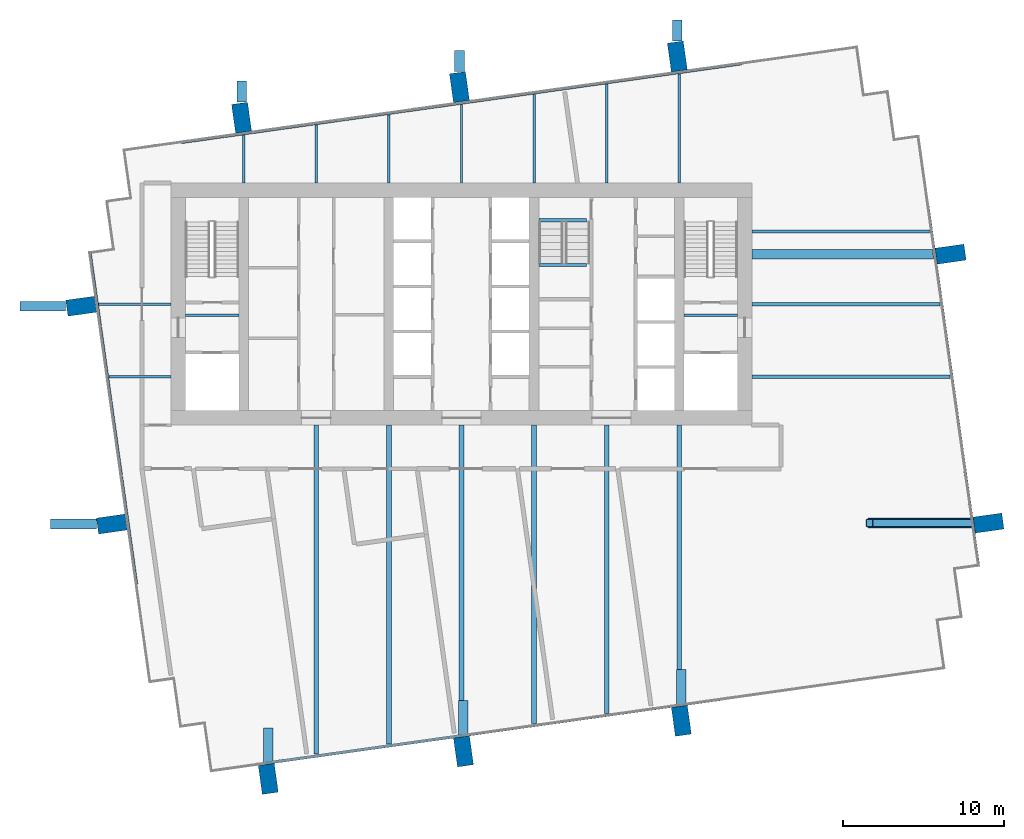
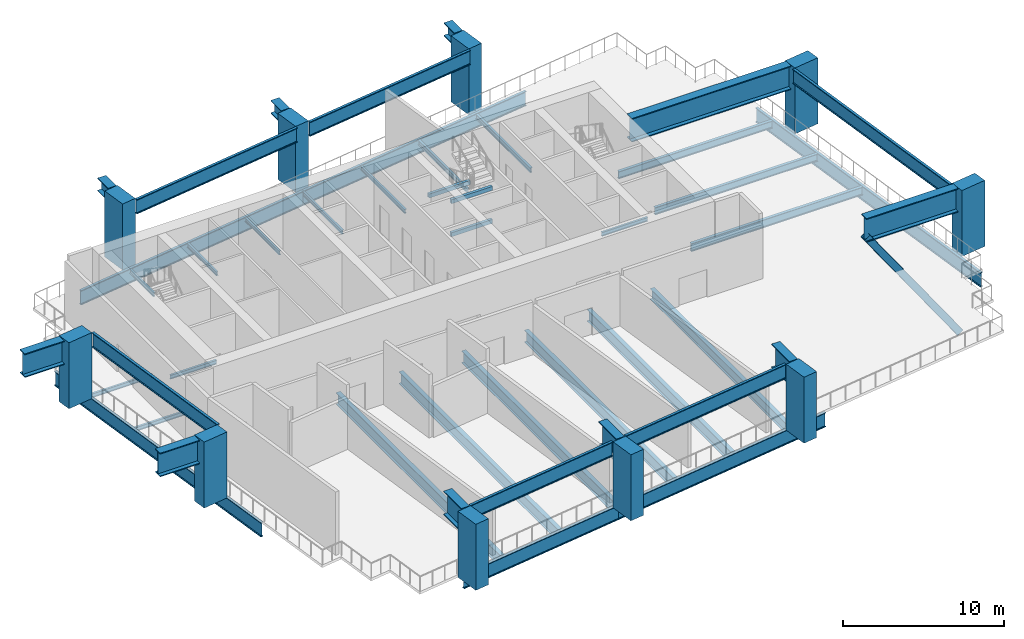
# One storey, part 1 of 10: 45 beams, 10 columns, 1 member.
"""IFC4 building model written with IfcOpenShell, lengths in metres."""

from ifc_helpers import new_model, si_unit, direction, frame, origin, origin_2d, place, context, subcontext, project, spatial, rectangle, hollow_rectangle, i_section, extrude, material, material_profile, profile_set, type_object, element, save


model = new_model("IFC4")

# Units and contexts
model_context = context("Model", 3, precision=1e-05, world=origin(), true_north=direction((0.0, 1.0)))
body_context = subcontext(model_context, "Body", "Model", "MODEL_VIEW")
ifc_project = project(units=[si_unit("LENGTHUNIT", "METRE"), si_unit("AREAUNIT", "SQUARE_METRE"), si_unit("VOLUMEUNIT", "CUBIC_METRE"), si_unit("PLANEANGLEUNIT", "RADIAN"), si_unit("MASSUNIT", "GRAM", prefix="KILO")], contexts=[model_context])

# Site, building, storey
site_placement = place(None, origin())
site = spatial("IfcSite", under=ifc_project, at=site_placement, CompositionType="ELEMENT")
building_placement = place(site_placement, origin())
building = spatial("IfcBuilding", under=site, at=building_placement, Name="Rattan Terrace Tower", CompositionType="ELEMENT")
storey_placement = place(building_placement, frame((0.0, 0.0, 244.699951171875)))
storey = spatial("IfcBuildingStorey", under=building, at=storey_placement, Name="L56", CompositionType="ELEMENT", Elevation=244.699951171875)

# Columns
ifc_material_1 = material(Name="Concrete C40/50", Category="concrete")
ifc_material_profile_1 = material_profile(ifc_material_1, rectangle(XDim=1.0, YDim=1.800048828125, at=origin_2d()), Name="CFT 1800x1000")
ifc_profile_set_1 = profile_set([ifc_material_profile_1], Name="Concrete C40/50")
column_type = type_object("IfcColumnType", Name="Frame exoskeleton column CFT 1800x1000", PredefinedType="COLUMN", material=ifc_profile_set_1)
for number, where, z_axis, x_axis, name in (
    (1, (-11.970947265625, -29.416015625, -0.199951171875), (0.0, 0.0, 1.0), (0.990268068742, 0.13917310096, 0.0), "exo-L56-001"),
    (2, (0.125, -27.716064453125, -0.199951171875), (0.0, 0.0, 1.0), (0.990268068742, 0.13917310096, 0.0), "exo-L56-002"),
    (3, (13.625, -25.818115234375, -0.199951171875), (0.0, 0.0, 1.0), (0.990268068742, 0.13917310096, 0.0), "exo-L56-003"),
    (4, (-21.6630859375, -13.625, -0.199951171875), (0.0, 0.0, 1.0), (-0.139190384377, 0.990265639562, 0.0), "exo-L56-004"),
    (5, (32.657958984375, -13.56494140625, -0.199951171875), (0.0, 0.0, 1.0), (-0.139190384377, 0.990265639562, 0.0), "exo-L56-005"),
    (6, (-23.56103515625, -0.125, -0.199951171875), (0.0, 0.0, 1.0), (-0.139190384377, 0.990265639562, 0.0), "exo-L56-006"),
    (7, (30.31494140625, 3.10009765625, -0.199951171875), (0.0, 0.0, 1.0), (-0.139190384377, 0.990265639562, 0.0), "exo-L56-007"),
    (8, (-13.625, 11.552978515625, -0.199951171875), (0.0, 0.0, 1.0), (0.990268068742, 0.13917310096, 0.0), "exo-L56-008"),
    (9, (-0.125, 13.450927734375, -0.199951171875), (0.0, 0.0, 1.0), (0.990268068742, 0.13917310096, 0.0), "exo-L56-009"),
    (10, (13.375, 15.347900390625, -0.199951171875), (0.0, 0.0, 1.0), (0.990268068742, 0.13917310096, 0.0), "exo-L56-010"),
):
    element("IfcColumn", number, at=place(storey_placement, frame(where, z_axis=z_axis, x_axis=x_axis)), inside=storey, type_object=column_type, Name=name, PredefinedType="COLUMN", context=body_context, shape_type="SweptSolid", body=[
        extrude(rectangle(XDim=1.0, YDim=1.800048828125, at=origin_2d()), origin(), (0.0, 0.0, 1.0), 5.0),
    ])

# Beams
ifc_material_2 = material(Name="Concrete C40/50", Category="concrete")
ifc_material_profile_2 = material_profile(ifc_material_2, rectangle(XDim=0.199951171875, YDim=0.300048828125, at=origin_2d()), Name="RC 200x300")
ifc_profile_set_2 = profile_set([ifc_material_profile_2], Name="Concrete C40/50")
beam_type_1 = type_object("IfcBeamType", Name="Core landing beam RC 200x300", PredefinedType="BEAM", material=ifc_profile_set_2)
for number, where, z_axis, x_axis, name in (
    (11, (4.800048828125, 2.419921875, 0.900146484375), (1.0, 0.0, 0.0), (0.0, 1.0, 0.0), "st-S3-L56 landing 1 edge beam"),
    (12, (4.800048828125, 5.199951171875, 2.150146484375), (1.0, 0.0, 0.0), (0.0, 1.0, 0.0), "st-S3-L56 landing 2 edge beam"),
    (13, (4.800048828125, 2.419921875, 3.400146484375), (1.0, 0.0, 0.0), (0.0, 1.0, 0.0), "st-S3-L56 landing 3 edge beam"),
):
    element("IfcBeam", number, at=place(storey_placement, frame(where, z_axis=z_axis, x_axis=x_axis)), inside=storey, type_object=beam_type_1, Name=name, PredefinedType="BEAM", context=body_context, shape_type="SweptSolid", body=[
        extrude(rectangle(XDim=0.199951171875, YDim=0.300048828125, at=origin_2d()), origin(), (0.0, 0.0, 1.0), 2.949951171875),
    ])
ifc_material_3 = material(Name="Steel S460", Category="steel")
ifc_material_profile_3 = material_profile(ifc_material_3, i_section(OverallWidth=0.179931640625, OverallDepth=1.10009765625, WebThickness=0.01611328125, FlangeThickness=0.050048828125, at=origin_2d()), Name="PG 1100x180-16-50")
ifc_profile_set_3 = profile_set([ifc_material_profile_3], Name="Steel S460")
beam_type_2 = type_object("IfcBeamType", Name="Frame edge girder PG 1100x180-16-50", PredefinedType="SPANDREL", material=ifc_profile_set_3)
beam_1_placement = place(storey_placement, frame((-12.10888671875, -28.43603515625, -0.75), z_axis=(0.990268332234, 0.139171226104, 0.0), x_axis=(-0.139171226104, 0.990268332234, 0.0)))
element("IfcBeam", 14, at=beam_1_placement, inside=storey, type_object=beam_type_2, Name="gdr-L56-001", PredefinedType="SPANDREL", context=body_context, shape_type="SweptSolid", body=[
    extrude(i_section(OverallWidth=0.179931640625, OverallDepth=1.10009765625, WebThickness=0.01611328125, FlangeThickness=0.050048828125, at=origin_2d()), origin(), (0.0, 0.0, 1.0), 12.21484375),
])
beam_2_placement = place(storey_placement, frame((16.0859375, -24.472900390625, -0.75), z_axis=(-0.990262693422, -0.139211342989, 0.0), x_axis=(0.139211342989, -0.990262693422, 0.0)))
element("IfcBeam", 15, at=beam_2_placement, inside=storey, type_object=beam_type_2, Name="gdr-L56-002", PredefinedType="SPANDREL", context=body_context, shape_type="SweptSolid", body=[
    extrude(i_section(OverallWidth=0.179931640625, OverallDepth=1.10009765625, WebThickness=0.01611328125, FlangeThickness=0.050048828125, at=origin_2d()), origin(), (0.0, 0.0, 1.0), 16.257080078125),
])
beam_3_placement = place(storey_placement, frame((-20.14111328125, -17.347900390625, -0.75), z_axis=(-0.139141602152, 0.9902724951, 0.0), x_axis=(-0.9902724951, -0.139141602152, 0.0)))
element("IfcBeam", 16, at=beam_3_placement, inside=storey, type_object=beam_type_2, Name="gdr-L56-003", PredefinedType="SPANDREL", context=body_context, shape_type="SweptSolid", body=[
    extrude(i_section(OverallWidth=0.179931640625, OverallDepth=1.10009765625, WebThickness=0.01611328125, FlangeThickness=0.050048828125, at=origin_2d()), origin(), (0.0, 0.0, 1.0), 20.813232421875),
])
beam_4_placement = place(storey_placement, frame((28.883056640625, 6.18505859375, -0.75), z_axis=(0.139138162292, -0.990272978423, 0.0), x_axis=(0.990272978423, 0.139138162292, 0.0)))
element("IfcBeam", 17, at=beam_4_placement, inside=storey, type_object=beam_type_2, Name="gdr-L56-004", PredefinedType="SPANDREL", context=body_context, shape_type="SweptSolid", body=[
    extrude(i_section(OverallWidth=0.179931640625, OverallDepth=1.10009765625, WebThickness=0.01611328125, FlangeThickness=0.050048828125, at=origin_2d()), origin(), (0.0, 0.0, 1.0), 22.66845703125),
])
for number, where, z_axis, x_axis, name in (
    (18, (-17.347900390625, 10.031005859375, -0.75), (0.990267797657, 0.13917502981, 0.0), (-0.13917502981, 0.990267797657, 0.0), "gdr-L56-005"),
    (19, (17.3740234375, 14.909912109375, -0.75), (-0.990275742813, -0.139118486179, 0.0), (0.139118486179, -0.990275742813, 0.0), "gdr-L56-006"),
):
    element("IfcBeam", number, at=place(storey_placement, frame(where, z_axis=z_axis, x_axis=x_axis)), inside=storey, type_object=beam_type_2, Name=name, PredefinedType="SPANDREL", context=body_context, shape_type="SweptSolid", body=[
        extrude(i_section(OverallWidth=0.179931640625, OverallDepth=1.10009765625, WebThickness=0.01611328125, FlangeThickness=0.050048828125, at=origin_2d()), origin(), (0.0, 0.0, 1.0), 17.531494140625),
    ])

# Member
ifc_material_4 = material(Name="Steel S355", Category="steel")
ifc_material_profile_4 = material_profile(ifc_material_4, hollow_rectangle(XDim=0.5, YDim=0.5, WallThickness=0.02001953125, InnerFilletRadius=0.02001953125, OuterFilletRadius=0.0400390625, at=origin_2d()), Name="SHS 500x500x20")
ifc_profile_set_4 = profile_set([ifc_material_profile_4], Name="Steel S355")
member_type = type_object("IfcMemberType", Name="Frame exoskeleton strut SHS 500x500x20", PredefinedType="BRACE", material=ifc_profile_set_4)
member_placement = place(storey_placement, frame((31.9541015625, -13.56494140625, -6.245849609375), z_axis=(-0.573580644, 0.000419882613, 0.819148990433), x_axis=(-0.000732037431, -0.999999732061, 0.0)))
element("IfcMember", 20, at=member_placement, inside=storey, type_object=member_type, Name="str-L56-001", PredefinedType="BRACE", context=body_context, shape_type="SweptSolid", body=[
    extrude(hollow_rectangle(XDim=0.5, YDim=0.5, WallThickness=0.02001953125, InnerFilletRadius=0.02001953125, OuterFilletRadius=0.0400390625, at=origin_2d()), origin(), (0.0, 0.0, 1.0), 11.62890625),
])

# Beams
ifc_material_5 = material(Name="Steel S355", Category="steel")
ifc_material_profile_5 = material_profile(ifc_material_5, i_section(OverallWidth=0.300048828125, OverallDepth=0.800048828125, WebThickness=0.017578125, FlangeThickness=0.032958984375, FilletRadius=0.030029296875, at=origin_2d()), Name="HE 800 B")
ifc_profile_set_5 = profile_set([ifc_material_profile_5], Name="Steel S355")
beam_type_3 = type_object("IfcBeamType", Name="Frame floor beam HE 800 B", PredefinedType="JOIST", material=ifc_profile_set_5)
beam_5_placement = place(storey_placement, frame((13.5, -24.72509765625, -0.599853515625), z_axis=(0.0, 1.0, 0.0), x_axis=(-1.0, 0.0, 0.0)))
element("IfcBeam", 21, at=beam_5_placement, inside=storey, type_object=beam_type_3, Name="bm-L56-008", PredefinedType="JOIST", context=body_context, shape_type="SweptSolid", body=[
    extrude(i_section(OverallWidth=0.300048828125, OverallDepth=0.800048828125, WebThickness=0.017578125, FlangeThickness=0.032958984375, FilletRadius=0.030029296875, at=origin_2d()), origin(), (0.0, 0.0, 1.0), 17.22509765625),
])
ifc_material_6 = material(Name="Steel S355", Category="steel")
ifc_material_profile_6 = material_profile(ifc_material_6, i_section(OverallWidth=0.300048828125, OverallDepth=0.89990234375, WebThickness=0.0185546875, FlangeThickness=0.034912109375, FilletRadius=0.030029296875, at=origin_2d()), Name="HE 900 B")
ifc_profile_set_6 = profile_set([ifc_material_profile_6], Name="Steel S355")
beam_type_4 = type_object("IfcBeamType", Name="Frame floor beam HE 900 B", PredefinedType="JOIST", material=ifc_profile_set_6)
beam_6_placement = place(storey_placement, frame((4.5, -25.989990234375, -0.64990234375), z_axis=(0.0, 1.0, 0.0), x_axis=(-1.0, 0.0, 0.0)))
element("IfcBeam", 22, at=beam_6_placement, inside=storey, type_object=beam_type_4, Name="bm-L56-006", PredefinedType="JOIST", context=body_context, shape_type="SweptSolid", body=[
    extrude(i_section(OverallWidth=0.300048828125, OverallDepth=0.89990234375, WebThickness=0.0185546875, FlangeThickness=0.034912109375, FilletRadius=0.030029296875, at=origin_2d()), origin(), (0.0, 0.0, 1.0), 18.489990234375),
])
beam_7_placement = place(storey_placement, frame((9.0, -25.35693359375, -0.64990234375), z_axis=(0.0, 1.0, 0.0), x_axis=(-1.0, 0.0, 0.0)))
element("IfcBeam", 23, at=beam_7_placement, inside=storey, type_object=beam_type_4, Name="bm-L56-007", PredefinedType="JOIST", context=body_context, shape_type="SweptSolid", body=[
    extrude(i_section(OverallWidth=0.300048828125, OverallDepth=0.89990234375, WebThickness=0.0185546875, FlangeThickness=0.034912109375, FilletRadius=0.030029296875, at=origin_2d()), origin(), (0.0, 0.0, 1.0), 17.85693359375),
])
ifc_material_7 = material(Name="Steel S355", Category="steel")
ifc_material_profile_7 = material_profile(ifc_material_7, i_section(OverallWidth=0.14990234375, OverallDepth=0.300048828125, WebThickness=0.007080078125, FlangeThickness=0.0107421875, FilletRadius=0.014892578125, at=origin_2d()), Name="IPE 300")
ifc_profile_set_7 = profile_set([ifc_material_profile_7], Name="Steel S355")
beam_type_5 = type_object("IfcBeamType", Name="Frame floor beam IPE 300", PredefinedType="JOIST", material=ifc_profile_set_7)
for number, where, z_axis, x_axis, name in (
    (24, (-17.10009765625, -0.695068359375, -0.349853515625), (1.0, 0.0, 0.0), (0.0, 1.0, 0.0), "bm-L56-001"),
    (25, (13.800048828125, -0.695068359375, -0.349853515625), (1.0, 0.0, 0.0), (0.0, 1.0, 0.0), "bm-L56-002"),
):
    element("IfcBeam", number, at=place(storey_placement, frame(where, z_axis=z_axis, x_axis=x_axis)), inside=storey, type_object=beam_type_5, Name=name, PredefinedType="JOIST", context=body_context, shape_type="SweptSolid", body=[
        extrude(i_section(OverallWidth=0.14990234375, OverallDepth=0.300048828125, WebThickness=0.007080078125, FlangeThickness=0.0107421875, FilletRadius=0.014892578125, at=origin_2d()), origin(), (0.0, 0.0, 1.0), 3.300048828125),
    ])
beam_8_placement = place(storey_placement, frame((-21.844970703125, -4.5, -0.349853515625), z_axis=(1.0, 0.0, 0.0), x_axis=(0.0, 1.0, 0.0)))
element("IfcBeam", 26, at=beam_8_placement, inside=storey, type_object=beam_type_5, Name="bm-L56-009", PredefinedType="JOIST", context=body_context, shape_type="SweptSolid", body=[
    extrude(i_section(OverallWidth=0.14990234375, OverallDepth=0.300048828125, WebThickness=0.007080078125, FlangeThickness=0.0107421875, FilletRadius=0.014892578125, at=origin_2d()), origin(), (0.0, 0.0, 1.0), 3.844970703125),
])
beam_9_placement = place(storey_placement, frame((-22.47705078125, 0.0, -0.349853515625), z_axis=(1.0, 0.0, 0.0), x_axis=(0.0, 1.0, 0.0)))
element("IfcBeam", 27, at=beam_9_placement, inside=storey, type_object=beam_type_5, Name="bm-L56-011", PredefinedType="JOIST", context=body_context, shape_type="SweptSolid", body=[
    extrude(i_section(OverallWidth=0.14990234375, OverallDepth=0.300048828125, WebThickness=0.007080078125, FlangeThickness=0.0107421875, FilletRadius=0.014892578125, at=origin_2d()), origin(), (0.0, 0.0, 1.0), 4.47705078125),
])
beam_10_placement = place(storey_placement, frame((-13.5, 7.5, -0.349853515625), z_axis=(0.0, 1.0, 0.0), x_axis=(-1.0, 0.0, 0.0)))
element("IfcBeam", 28, at=beam_10_placement, inside=storey, type_object=beam_type_5, Name="bm-L56-014", PredefinedType="JOIST", context=body_context, shape_type="SweptSolid", body=[
    extrude(i_section(OverallWidth=0.14990234375, OverallDepth=0.300048828125, WebThickness=0.007080078125, FlangeThickness=0.0107421875, FilletRadius=0.014892578125, at=origin_2d()), origin(), (0.0, 0.0, 1.0), 2.969970703125),
])
beam_11_placement = place(storey_placement, frame((-9.0, 7.5, -0.349853515625), z_axis=(0.0, 1.0, 0.0), x_axis=(-1.0, 0.0, 0.0)))
element("IfcBeam", 29, at=beam_11_placement, inside=storey, type_object=beam_type_5, Name="bm-L56-015", PredefinedType="JOIST", context=body_context, shape_type="SweptSolid", body=[
    extrude(i_section(OverallWidth=0.14990234375, OverallDepth=0.300048828125, WebThickness=0.007080078125, FlangeThickness=0.0107421875, FilletRadius=0.014892578125, at=origin_2d()), origin(), (0.0, 0.0, 1.0), 3.60302734375),
])
beam_12_placement = place(storey_placement, frame((-4.5, 7.5, -0.349853515625), z_axis=(0.0, 1.0, 0.0), x_axis=(-1.0, 0.0, 0.0)))
element("IfcBeam", 30, at=beam_12_placement, inside=storey, type_object=beam_type_5, Name="bm-L56-016", PredefinedType="JOIST", context=body_context, shape_type="SweptSolid", body=[
    extrude(i_section(OverallWidth=0.14990234375, OverallDepth=0.300048828125, WebThickness=0.007080078125, FlangeThickness=0.0107421875, FilletRadius=0.014892578125, at=origin_2d()), origin(), (0.0, 0.0, 1.0), 4.235107421875),
])
beam_13_placement = place(storey_placement, frame((0.0, 7.5, -0.349853515625), z_axis=(0.0, 1.0, 0.0), x_axis=(-1.0, 0.0, 0.0)))
element("IfcBeam", 31, at=beam_13_placement, inside=storey, type_object=beam_type_5, Name="bm-L56-017", PredefinedType="JOIST", context=body_context, shape_type="SweptSolid", body=[
    extrude(i_section(OverallWidth=0.14990234375, OverallDepth=0.300048828125, WebThickness=0.007080078125, FlangeThickness=0.0107421875, FilletRadius=0.014892578125, at=origin_2d()), origin(), (0.0, 0.0, 1.0), 4.867919921875),
])
beam_14_placement = place(storey_placement, frame((4.5, 7.5, -0.349853515625), z_axis=(0.0, 1.0, 0.0), x_axis=(-1.0, 0.0, 0.0)))
element("IfcBeam", 32, at=beam_14_placement, inside=storey, type_object=beam_type_5, Name="bm-L56-018", PredefinedType="JOIST", context=body_context, shape_type="SweptSolid", body=[
    extrude(i_section(OverallWidth=0.14990234375, OverallDepth=0.300048828125, WebThickness=0.007080078125, FlangeThickness=0.0107421875, FilletRadius=0.014892578125, at=origin_2d()), origin(), (0.0, 0.0, 1.0), 5.5),
])
ifc_material_8 = material(Name="Steel S355", Category="steel")
ifc_material_profile_8 = material_profile(ifc_material_8, i_section(OverallWidth=0.169921875, OverallDepth=0.360107421875, WebThickness=0.008056640625, FlangeThickness=0.0126953125, FilletRadius=0.01806640625, at=origin_2d()), Name="IPE 360")
ifc_profile_set_8 = profile_set([ifc_material_profile_8], Name="Steel S355")
beam_type_6 = type_object("IfcBeamType", Name="Frame floor beam IPE 360", PredefinedType="JOIST", material=ifc_profile_set_8)
beam_15_placement = place(storey_placement, frame((9.0, 7.5, -0.3798828125), z_axis=(0.0, 1.0, 0.0), x_axis=(-1.0, 0.0, 0.0)))
element("IfcBeam", 33, at=beam_15_placement, inside=storey, type_object=beam_type_6, Name="bm-L56-019", PredefinedType="JOIST", context=body_context, shape_type="SweptSolid", body=[
    extrude(i_section(OverallWidth=0.169921875, OverallDepth=0.360107421875, WebThickness=0.008056640625, FlangeThickness=0.0126953125, FilletRadius=0.01806640625, at=origin_2d()), origin(), (0.0, 0.0, 1.0), 6.131103515625),
])
beam_16_placement = place(storey_placement, frame((13.5, 7.5, -0.3798828125), z_axis=(0.0, 1.0, 0.0), x_axis=(-1.0, 0.0, 0.0)))
element("IfcBeam", 34, at=beam_16_placement, inside=storey, type_object=beam_type_6, Name="bm-L56-020", PredefinedType="JOIST", context=body_context, shape_type="SweptSolid", body=[
    extrude(i_section(OverallWidth=0.169921875, OverallDepth=0.360107421875, WebThickness=0.008056640625, FlangeThickness=0.0126953125, FilletRadius=0.01806640625, at=origin_2d()), origin(), (0.0, 0.0, 1.0), 6.762939453125),
])
ifc_material_9 = material(Name="Steel S355", Category="steel")
ifc_material_profile_9 = material_profile(ifc_material_9, i_section(OverallWidth=0.2099609375, OverallDepth=0.550048828125, WebThickness=0.010986328125, FlangeThickness=0.01708984375, FilletRadius=0.02392578125, at=origin_2d()), Name="IPE 550")
ifc_profile_set_9 = profile_set([ifc_material_profile_9], Name="Steel S355")
beam_type_7 = type_object("IfcBeamType", Name="Frame floor beam IPE 550", PredefinedType="JOIST", material=ifc_profile_set_9)
beam_17_placement = place(storey_placement, frame((18.0, 0.0, -0.474853515625), z_axis=(1.0, 0.0, 0.0), x_axis=(0.0, 1.0, 0.0)))
element("IfcBeam", 35, at=beam_17_placement, inside=storey, type_object=beam_type_7, Name="bm-L56-012", PredefinedType="JOIST", context=body_context, shape_type="SweptSolid", body=[
    extrude(i_section(OverallWidth=0.2099609375, OverallDepth=0.550048828125, WebThickness=0.010986328125, FlangeThickness=0.01708984375, FilletRadius=0.02392578125, at=origin_2d()), origin(), (0.0, 0.0, 1.0), 11.64599609375),
])
beam_18_placement = place(storey_placement, frame((18.0, 4.5, -0.474853515625), z_axis=(1.0, 0.0, 0.0), x_axis=(0.0, 1.0, 0.0)))
element("IfcBeam", 36, at=beam_18_placement, inside=storey, type_object=beam_type_7, Name="bm-L56-013", PredefinedType="JOIST", context=body_context, shape_type="SweptSolid", body=[
    extrude(i_section(OverallWidth=0.2099609375, OverallDepth=0.550048828125, WebThickness=0.010986328125, FlangeThickness=0.01708984375, FilletRadius=0.02392578125, at=origin_2d()), origin(), (0.0, 0.0, 1.0), 11.013916015625),
])
ifc_material_10 = material(Name="Steel S355", Category="steel")
ifc_material_profile_10 = material_profile(ifc_material_10, i_section(OverallWidth=0.219970703125, OverallDepth=0.60009765625, WebThickness=0.011962890625, FlangeThickness=0.01904296875, FilletRadius=0.02392578125, at=origin_2d()), Name="IPE 600")
ifc_profile_set_10 = profile_set([ifc_material_profile_10], Name="Steel S355")
beam_type_8 = type_object("IfcBeamType", Name="Frame floor beam IPE 600", PredefinedType="JOIST", material=ifc_profile_set_10)
beam_19_placement = place(storey_placement, frame((18.0, -4.5, -0.5), z_axis=(1.0, 0.0, 0.0), x_axis=(0.0, 1.0, 0.0)))
element("IfcBeam", 37, at=beam_19_placement, inside=storey, type_object=beam_type_8, Name="bm-L56-010", PredefinedType="JOIST", context=body_context, shape_type="SweptSolid", body=[
    extrude(i_section(OverallWidth=0.219970703125, OverallDepth=0.60009765625, WebThickness=0.011962890625, FlangeThickness=0.01904296875, FilletRadius=0.02392578125, at=origin_2d()), origin(), (0.0, 0.0, 1.0), 12.278076171875),
])
ifc_material_11 = material(Name="Steel S460", Category="steel")
ifc_material_profile_11 = material_profile(ifc_material_11, i_section(OverallWidth=0.300048828125, OverallDepth=0.89990234375, WebThickness=0.013916015625, FlangeThickness=0.035888671875, at=origin_2d()), Name="PG 900x300-14-36")
ifc_profile_set_11 = profile_set([ifc_material_profile_11], Name="Steel S460")
beam_type_9 = type_object("IfcBeamType", Name="Frame floor beam PG 900x300-14-36", PredefinedType="JOIST", material=ifc_profile_set_11)
beam_20_placement = place(storey_placement, frame((-9.0, -27.886962890625, -0.64990234375), z_axis=(0.0, 1.0, 0.0), x_axis=(-1.0, 0.0, 0.0)))
element("IfcBeam", 38, at=beam_20_placement, inside=storey, type_object=beam_type_9, Name="bm-L56-003", PredefinedType="JOIST", context=body_context, shape_type="SweptSolid", body=[
    extrude(i_section(OverallWidth=0.300048828125, OverallDepth=0.89990234375, WebThickness=0.013916015625, FlangeThickness=0.035888671875, at=origin_2d()), origin(), (0.0, 0.0, 1.0), 20.386962890625),
])
beam_21_placement = place(storey_placement, frame((-4.5, -27.2548828125, -0.64990234375), z_axis=(0.0, 1.0, 0.0), x_axis=(-1.0, 0.0, 0.0)))
element("IfcBeam", 39, at=beam_21_placement, inside=storey, type_object=beam_type_9, Name="bm-L56-004", PredefinedType="JOIST", context=body_context, shape_type="SweptSolid", body=[
    extrude(i_section(OverallWidth=0.300048828125, OverallDepth=0.89990234375, WebThickness=0.013916015625, FlangeThickness=0.035888671875, at=origin_2d()), origin(), (0.0, 0.0, 1.0), 19.7548828125),
])
beam_22_placement = place(storey_placement, frame((0.0, -26.6220703125, -0.64990234375), z_axis=(0.0, 1.0, 0.0), x_axis=(-1.0, 0.0, 0.0)))
element("IfcBeam", 40, at=beam_22_placement, inside=storey, type_object=beam_type_9, Name="bm-L56-005", PredefinedType="JOIST", context=body_context, shape_type="SweptSolid", body=[
    extrude(i_section(OverallWidth=0.300048828125, OverallDepth=0.89990234375, WebThickness=0.013916015625, FlangeThickness=0.035888671875, at=origin_2d()), origin(), (0.0, 0.0, 1.0), 19.1220703125),
])
ifc_material_12 = material(Name="Steel S460", Category="steel")
ifc_material_profile_12 = material_profile(ifc_material_12, i_section(OverallWidth=0.60009765625, OverallDepth=1.0, WebThickness=0.0400390625, FlangeThickness=0.070068359375, at=origin_2d()), Name="PG 1000x600-40-70")
ifc_profile_set_12 = profile_set([ifc_material_profile_12], Name="Steel S460")
beam_type_10 = type_object("IfcBeamType", Name="Frame transfer girder PG 1000x600-40-70", PredefinedType="USERDEFINED", material=ifc_profile_set_12)
beam_23_placement = place(storey_placement, frame((-0.1201171875, 14.412109375, 4.300048828125), z_axis=(0.0, 1.0, 0.0), x_axis=(-1.0, 0.0, 0.0)))
element("IfcBeam", 41, at=beam_23_placement, inside=storey, type_object=beam_type_10, Name="trf-L56-011", ObjectType="TRANSFER GIRDER", PredefinedType="USERDEFINED", context=body_context, shape_type="SweptSolid", body=[
    extrude(i_section(OverallWidth=0.60009765625, OverallDepth=1.0, WebThickness=0.0400390625, FlangeThickness=0.070068359375, at=origin_2d()), origin(), (0.0, 0.0, 1.0), 1.2998046875),
])
beam_24_placement = place(storey_placement, frame((-13.6201171875, 12.513916015625, 4.300048828125), z_axis=(0.0, 1.0, 0.0), x_axis=(-1.0, 0.0, 0.0)))
element("IfcBeam", 42, at=beam_24_placement, inside=storey, type_object=beam_type_10, Name="trf-L56-013", ObjectType="TRANSFER GIRDER", PredefinedType="USERDEFINED", context=body_context, shape_type="SweptSolid", body=[
    extrude(i_section(OverallWidth=0.60009765625, OverallDepth=1.0, WebThickness=0.0400390625, FlangeThickness=0.070068359375, at=origin_2d()), origin(), (0.0, 0.0, 1.0), 1.300048828125),
])
beam_25_placement = place(storey_placement, frame((13.3798828125, 16.30908203125, 4.300048828125), z_axis=(0.0, 1.0, 0.0), x_axis=(-1.0, 0.0, 0.0)))
element("IfcBeam", 43, at=beam_25_placement, inside=storey, type_object=beam_type_10, Name="trf-L56-015", ObjectType="TRANSFER GIRDER", PredefinedType="USERDEFINED", context=body_context, shape_type="SweptSolid", body=[
    extrude(i_section(OverallWidth=0.60009765625, OverallDepth=1.0, WebThickness=0.0400390625, FlangeThickness=0.070068359375, at=origin_2d()), origin(), (0.0, 0.0, 1.0), 1.2998046875),
])
ifc_material_13 = material(Name="Steel S460", Category="steel")
ifc_material_profile_13 = material_profile(ifc_material_13, i_section(OverallWidth=0.179931640625, OverallDepth=1.10009765625, WebThickness=0.01611328125, FlangeThickness=0.050048828125, at=origin_2d()), Name="PG 1100x180-16-50")
ifc_profile_set_13 = profile_set([ifc_material_profile_13], Name="Steel S460")
beam_type_11 = type_object("IfcBeamType", Name="Frame transfer girder PG 1100x180-16-50", PredefinedType="USERDEFINED", material=ifc_profile_set_13)
beam_26_placement = place(storey_placement, frame((31.60791015625, -13.20703125, 4.25), z_axis=(-0.139175186364, 0.990267775655, 0.0), x_axis=(-0.990267775655, -0.139175186364, 0.0)))
element("IfcBeam", 44, at=beam_26_placement, inside=storey, type_object=beam_type_11, Name="trf-L56-001", ObjectType="TRANSFER GIRDER", PredefinedType="USERDEFINED", context=body_context, shape_type="SweptSolid", body=[
    extrude(i_section(OverallWidth=0.179931640625, OverallDepth=1.10009765625, WebThickness=0.01611328125, FlangeThickness=0.050048828125, at=origin_2d()), origin(), (0.0, 0.0, 1.0), 15.828125),
])
beam_27_placement = place(storey_placement, frame((13.01708984375, 14.298095703125, 4.25), z_axis=(-0.990267777729, -0.139175171603, 0.0), x_axis=(0.139175171603, -0.990267777729, 0.0)))
element("IfcBeam", 45, at=beam_27_placement, inside=storey, type_object=beam_type_11, Name="trf-L56-002", ObjectType="TRANSFER GIRDER", PredefinedType="USERDEFINED", context=body_context, shape_type="SweptSolid", body=[
    extrude(i_section(OverallWidth=0.179931640625, OverallDepth=1.10009765625, WebThickness=0.01611328125, FlangeThickness=0.050048828125, at=origin_2d()), origin(), (0.0, 0.0, 1.0), 12.632080078125),
])
beam_28_placement = place(storey_placement, frame((-0.48291015625, 12.40087890625, 4.25), z_axis=(-0.990270441243, -0.139156218689, 0.0), x_axis=(0.139156218689, -0.990270441243, 0.0)))
element("IfcBeam", 46, at=beam_28_placement, inside=storey, type_object=beam_type_11, Name="trf-L56-003", ObjectType="TRANSFER GIRDER", PredefinedType="USERDEFINED", context=body_context, shape_type="SweptSolid", body=[
    extrude(i_section(OverallWidth=0.179931640625, OverallDepth=1.10009765625, WebThickness=0.01611328125, FlangeThickness=0.050048828125, at=origin_2d()), origin(), (0.0, 0.0, 1.0), 12.6318359375),
])
beam_29_placement = place(storey_placement, frame((-22.510986328125, -0.48291015625, 4.25), z_axis=(0.139175171603, -0.990267777729, 0.0), x_axis=(0.990267777729, 0.139175171603, 0.0)))
element("IfcBeam", 47, at=beam_29_placement, inside=storey, type_object=beam_type_11, Name="trf-L56-004", ObjectType="TRANSFER GIRDER", PredefinedType="USERDEFINED", context=body_context, shape_type="SweptSolid", body=[
    extrude(i_section(OverallWidth=0.179931640625, OverallDepth=1.10009765625, WebThickness=0.01611328125, FlangeThickness=0.050048828125, at=origin_2d()), origin(), (0.0, 0.0, 1.0), 12.632080078125),
])
beam_30_placement = place(storey_placement, frame((-11.613037109375, -28.365966796875, 4.25), z_axis=(0.990263988974, 0.139202126929, 0.0), x_axis=(-0.139202126929, 0.990263988974, 0.0)))
element("IfcBeam", 48, at=beam_30_placement, inside=storey, type_object=beam_type_11, Name="trf-L56-005", ObjectType="TRANSFER GIRDER", PredefinedType="USERDEFINED", context=body_context, shape_type="SweptSolid", body=[
    extrude(i_section(OverallWidth=0.179931640625, OverallDepth=1.10009765625, WebThickness=0.01611328125, FlangeThickness=0.050048828125, at=origin_2d()), origin(), (0.0, 0.0, 1.0), 11.214111328125),
])
beam_31_placement = place(storey_placement, frame((0.48291015625, -26.666015625, 4.25), z_axis=(0.990267777729, 0.139175171603, 0.0), x_axis=(-0.139175171603, 0.990267777729, 0.0)))
element("IfcBeam", 49, at=beam_31_placement, inside=storey, type_object=beam_type_11, Name="trf-L56-006", ObjectType="TRANSFER GIRDER", PredefinedType="USERDEFINED", context=body_context, shape_type="SweptSolid", body=[
    extrude(i_section(OverallWidth=0.179931640625, OverallDepth=1.10009765625, WebThickness=0.01611328125, FlangeThickness=0.050048828125, at=origin_2d()), origin(), (0.0, 0.0, 1.0), 12.632080078125),
])
ifc_material_14 = material(Name="Steel S460", Category="steel")
ifc_material_profile_14 = material_profile(ifc_material_14, i_section(OverallWidth=0.60009765625, OverallDepth=1.800048828125, WebThickness=0.0400390625, FlangeThickness=0.070068359375, at=origin_2d()), Name="PG 1800x600-40-70")
ifc_profile_set_14 = profile_set([ifc_material_profile_14], Name="Steel S460")
beam_type_12 = type_object("IfcBeamType", Name="Frame transfer girder PG 1800x600-40-70", PredefinedType="USERDEFINED", material=ifc_profile_set_14)
beam_32_placement = place(storey_placement, frame((-27.35595703125, -0.1201171875, 3.900146484375), z_axis=(1.0, 0.0, 0.0), x_axis=(0.0, 1.0, 0.0)))
element("IfcBeam", 50, at=beam_32_placement, inside=storey, type_object=beam_type_12, Name="trf-L56-007", ObjectType="TRANSFER GIRDER", PredefinedType="USERDEFINED", context=body_context, shape_type="SweptSolid", body=[
    extrude(i_section(OverallWidth=0.60009765625, OverallDepth=1.800048828125, WebThickness=0.0400390625, FlangeThickness=0.070068359375, at=origin_2d()), origin(), (0.0, 0.0, 1.0), 2.833984375),
])
beam_33_placement = place(storey_placement, frame((25.18408203125, -13.56005859375, 3.900146484375), z_axis=(1.0, 0.0, 0.0), x_axis=(0.0, 1.0, 0.0)))
element("IfcBeam", 51, at=beam_33_placement, inside=storey, type_object=beam_type_12, Name="trf-L56-008", ObjectType="TRANSFER GIRDER", PredefinedType="USERDEFINED", context=body_context, shape_type="SweptSolid", body=[
    extrude(i_section(OverallWidth=0.60009765625, OverallDepth=1.800048828125, WebThickness=0.0400390625, FlangeThickness=0.070068359375, at=origin_2d()), origin(), (0.0, 0.0, 1.0), 6.56494140625),
])
beam_34_placement = place(storey_placement, frame((-25.45703125, -13.6201171875, 3.900146484375), z_axis=(1.0, 0.0, 0.0), x_axis=(0.0, 1.0, 0.0)))
element("IfcBeam", 52, at=beam_34_placement, inside=storey, type_object=beam_type_12, Name="trf-L56-009", ObjectType="TRANSFER GIRDER", PredefinedType="USERDEFINED", context=body_context, shape_type="SweptSolid", body=[
    extrude(i_section(OverallWidth=0.60009765625, OverallDepth=1.800048828125, WebThickness=0.0400390625, FlangeThickness=0.070068359375, at=origin_2d()), origin(), (0.0, 0.0, 1.0), 2.8330078125),
])
beam_35_placement = place(storey_placement, frame((18.0, 3.10009765625, 3.900146484375), z_axis=(1.0, 0.0, 0.0), x_axis=(0.0, 1.0, 0.0)))
element("IfcBeam", 53, at=beam_35_placement, inside=storey, type_object=beam_type_12, Name="trf-L56-010", ObjectType="TRANSFER GIRDER", PredefinedType="USERDEFINED", context=body_context, shape_type="SweptSolid", body=[
    extrude(i_section(OverallWidth=0.60009765625, OverallDepth=1.800048828125, WebThickness=0.0400390625, FlangeThickness=0.070068359375, at=origin_2d()), origin(), (0.0, 0.0, 1.0), 11.406005859375),
])
beam_36_placement = place(storey_placement, frame((-11.969970703125, -28.455078125, 3.900146484375), z_axis=(0.0, 1.0, 0.0), x_axis=(-1.0, 0.0, 0.0)))
element("IfcBeam", 54, at=beam_36_placement, inside=storey, type_object=beam_type_12, Name="trf-L56-012", ObjectType="TRANSFER GIRDER", PredefinedType="USERDEFINED", context=body_context, shape_type="SweptSolid", body=[
    extrude(i_section(OverallWidth=0.60009765625, OverallDepth=1.800048828125, WebThickness=0.0400390625, FlangeThickness=0.070068359375, at=origin_2d()), origin(), (0.0, 0.0, 1.0), 2.20703125),
])
beam_37_placement = place(storey_placement, frame((0.1201171875, -26.7548828125, 3.900146484375), z_axis=(0.0, 1.0, 0.0), x_axis=(-1.0, 0.0, 0.0)))
element("IfcBeam", 55, at=beam_37_placement, inside=storey, type_object=beam_type_12, Name="trf-L56-014", ObjectType="TRANSFER GIRDER", PredefinedType="USERDEFINED", context=body_context, shape_type="SweptSolid", body=[
    extrude(i_section(OverallWidth=0.60009765625, OverallDepth=1.800048828125, WebThickness=0.0400390625, FlangeThickness=0.070068359375, at=origin_2d()), origin(), (0.0, 0.0, 1.0), 2.207763671875),
])
beam_38_placement = place(storey_placement, frame((13.6201171875, -24.85693359375, 3.900146484375), z_axis=(0.0, 1.0, 0.0), x_axis=(-1.0, 0.0, 0.0)))
element("IfcBeam", 56, at=beam_38_placement, inside=storey, type_object=beam_type_12, Name="trf-L56-016", ObjectType="TRANSFER GIRDER", PredefinedType="USERDEFINED", context=body_context, shape_type="SweptSolid", body=[
    extrude(i_section(OverallWidth=0.60009765625, OverallDepth=1.800048828125, WebThickness=0.0400390625, FlangeThickness=0.070068359375, at=origin_2d()), origin(), (0.0, 0.0, 1.0), 2.2080078125),
])

save(model, "model.ifc")
